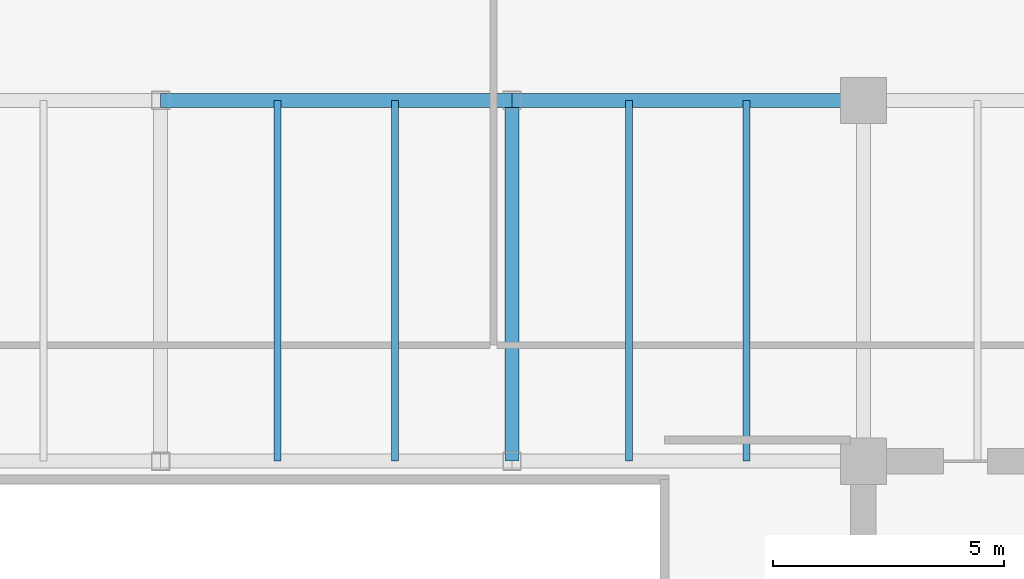
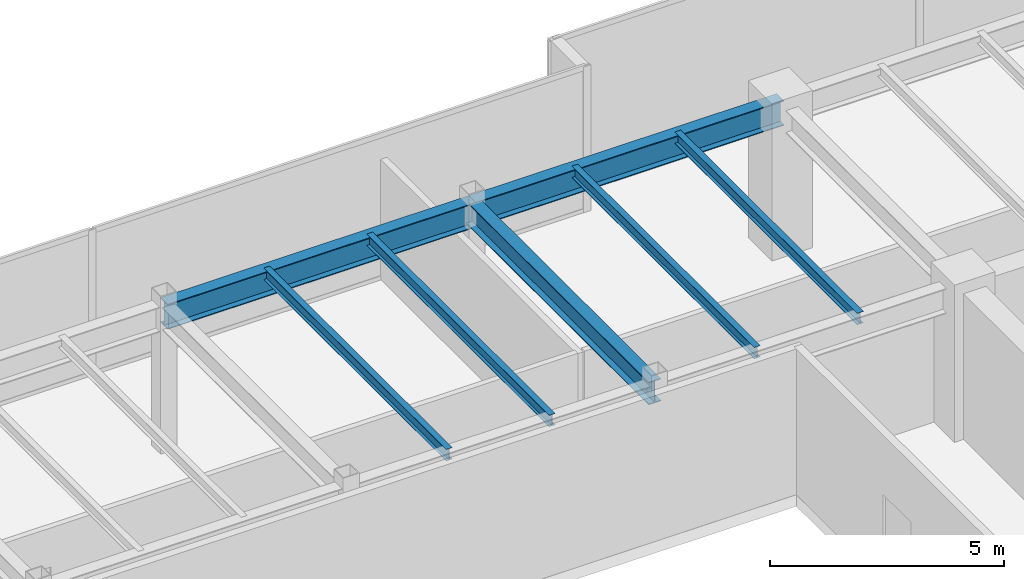
# One storey, part 18 of 33: 7 beams.
"""IFC4 building model written with IfcOpenShell, lengths in metres."""

from ifc_helpers import new_model, si_unit, direction, frame, origin, origin_2d, place, context, subcontext, project, spatial, i_section, extrude, source, transform, mapped, material, material_profile, profile_set, type_object, type_shapes, element, save


model = new_model("IFC4")

# Units and contexts
model_context = context("Model", 3, precision=1e-05, world=origin(), true_north=direction((0.0, 1.0)))
body_context = subcontext(model_context, "Body", "Model", "MODEL_VIEW")
ifc_project = project(units=[si_unit("LENGTHUNIT", "METRE"), si_unit("AREAUNIT", "SQUARE_METRE"), si_unit("VOLUMEUNIT", "CUBIC_METRE"), si_unit("PLANEANGLEUNIT", "RADIAN"), si_unit("MASSUNIT", "GRAM", prefix="KILO")], contexts=[model_context])

# Site, building, storey
site_placement = place(None, origin())
site = spatial("IfcSite", under=ifc_project, at=site_placement, CompositionType="ELEMENT")
building_placement = place(site_placement, origin())
building = spatial("IfcBuilding", under=site, at=building_placement, Name="Haelvirn Gate Laboratories", CompositionType="ELEMENT")
storey_placement = place(building_placement, frame((0.0, 0.0, 238.300048828125)))
storey = spatial("IfcBuildingStorey", under=building, at=storey_placement, Name="L57", CompositionType="ELEMENT", Elevation=238.300048828125)

# Beams
ifc_material = material(Name="Steel SM355", Category="steel")
ifc_material_profile_1 = material_profile(ifc_material, i_section(OverallWidth=0.14990234375, OverallDepth=0.300048828125, WebThickness=0.006591796875, FlangeThickness=0.009033203125, at=origin_2d()), Name="H-300x150x6.5x9")
ifc_profile_set_1 = profile_set([ifc_material_profile_1], Name="Steel SM355")
beam_type_1 = type_object("IfcBeamType", Name="BM-J-300", PredefinedType="JOIST", material=ifc_profile_set_1)
shared_shape_1 = source(origin(), body_context, "Body", "SweptSolid", [
    extrude(i_section(OverallWidth=0.14990234375, OverallDepth=0.300048828125, WebThickness=0.006591796875, FlangeThickness=0.009033203125, at=origin_2d()), origin(), (0.0, 0.0, 1.0), 7.800048828125),
])
type_shapes(beam_type_1, [shared_shape_1])
for number, where, z_axis, x_axis, name in (
    (1, (39.929931640625, 33.800048828125, 3.64990234375), (0.0, 1.0, 0.0), (-1.0, 0.0, 0.0), "L57 Composite Lab Joist North X39.93"),
    (2, (42.469970703125, 33.800048828125, 3.64990234375), (0.0, 1.0, 0.0), (-1.0, 0.0, 0.0), "L57 Composite Lab Joist North X42.47"),
    (3, (47.530029296875, 33.800048828125, 3.64990234375), (0.0, 1.0, 0.0), (-1.0, 0.0, 0.0), "L57 Composite Lab Joist North X47.53"),
    (4, (50.070068359375, 33.800048828125, 3.64990234375), (0.0, 1.0, 0.0), (-1.0, 0.0, 0.0), "L57 Composite Lab Joist North X50.07"),
):
    element("IfcBeam", number, at=place(storey_placement, frame(where, z_axis=z_axis, x_axis=x_axis)), inside=storey, type_object=beam_type_1, Name=name, PredefinedType="JOIST", context=body_context, shape_type="MappedRepresentation", body=[
        mapped(shared_shape_1, transform((0.0, 0.0, 0.0), scale=1.0)),
    ])
ifc_material_profile_2 = material_profile(ifc_material, i_section(OverallWidth=0.300048828125, OverallDepth=0.587890625, WebThickness=0.011962890625, FlangeThickness=0.02001953125, at=origin_2d()), Name="H-588x300x12x20")
ifc_profile_set_2 = profile_set([ifc_material_profile_2], Name="Steel SM355")
beam_type_2 = type_object("IfcBeamType", Name="BM-G-588", PredefinedType="BEAM", material=ifc_profile_set_2)
shared_shape_2 = source(origin(), body_context, "Body", "SweptSolid", [
    extrude(i_section(OverallWidth=0.300048828125, OverallDepth=0.587890625, WebThickness=0.011962890625, FlangeThickness=0.02001953125, at=origin_2d()), origin(), (0.0, 0.0, 1.0), 7.800048828125),
])
type_shapes(beam_type_2, [shared_shape_2])
beam_placement = place(storey_placement, frame((45.0, 33.800048828125, 3.505859375), z_axis=(0.0, 1.0, 0.0), x_axis=(-1.0, 0.0, 0.0)))
element("IfcBeam", 5, at=beam_placement, inside=storey, type_object=beam_type_2, Name="L57 Frame Girder X45.0 (33.8-41.6)", PredefinedType="BEAM", context=body_context, shape_type="MappedRepresentation", body=[
    mapped(shared_shape_2, transform((0.0, 0.0, 0.0), scale=1.0)),
])
ifc_material_profile_3 = material_profile(ifc_material, i_section(OverallWidth=0.300048828125, OverallDepth=0.64990234375, WebThickness=0.012939453125, FlangeThickness=0.02197265625, at=origin_2d()), Name="H-650x300x13x22")
ifc_profile_set_3 = profile_set([ifc_material_profile_3], Name="Steel SM355")
beam_type_3 = type_object("IfcBeamType", Name="BM-G-650", PredefinedType="BEAM", material=ifc_profile_set_3)
shared_shape_3 = source(origin(), body_context, "Body", "SweptSolid", [
    extrude(i_section(OverallWidth=0.300048828125, OverallDepth=0.64990234375, WebThickness=0.012939453125, FlangeThickness=0.02197265625, at=origin_2d()), origin(), (0.0, 0.0, 1.0), 7.60009765625),
])
type_shapes(beam_type_3, [shared_shape_3])
for number, where, z_axis, x_axis, name in (
    (6, (37.39990234375, 41.60009765625, 3.474853515625), (1.0, 0.0, 0.0), (0.0, 1.0, 0.0), "L57 Primary Girder Y41.6 (37.4-45.0)"),
    (7, (45.0, 41.60009765625, 3.474853515625), (1.0, 0.0, 0.0), (0.0, 1.0, 0.0), "L57 Primary Girder Y41.6 (45.0-52.6)"),
):
    element("IfcBeam", number, at=place(storey_placement, frame(where, z_axis=z_axis, x_axis=x_axis)), inside=storey, type_object=beam_type_3, Name=name, PredefinedType="BEAM", context=body_context, shape_type="MappedRepresentation", body=[
        mapped(shared_shape_3, transform((0.0, 0.0, 0.0), scale=1.0)),
    ])

save(model, "model.ifc")
